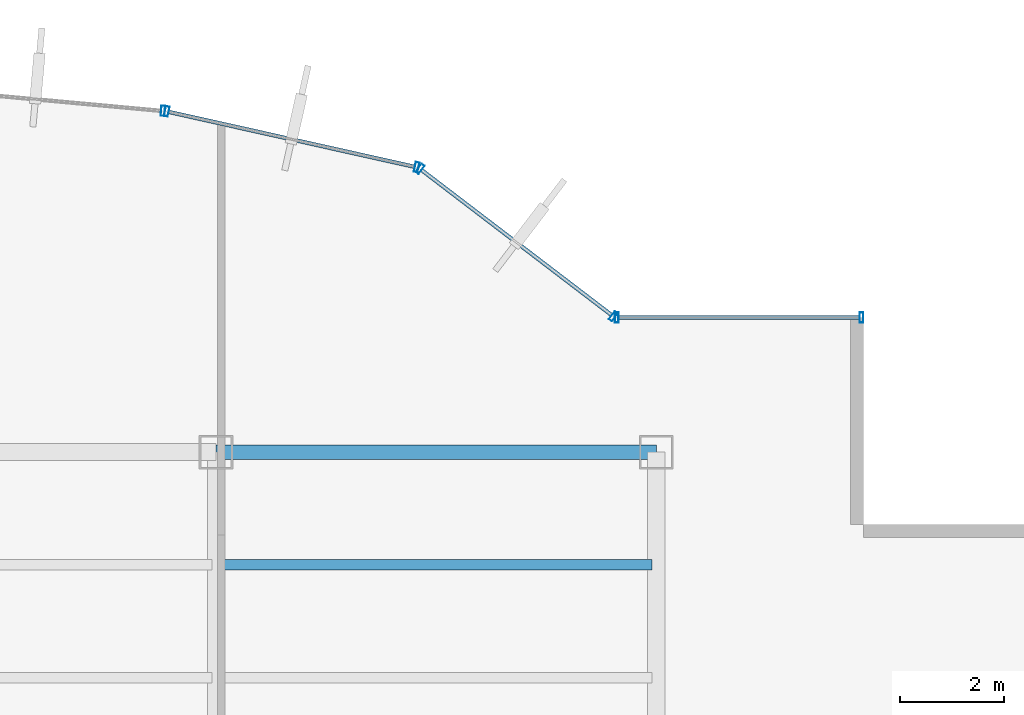
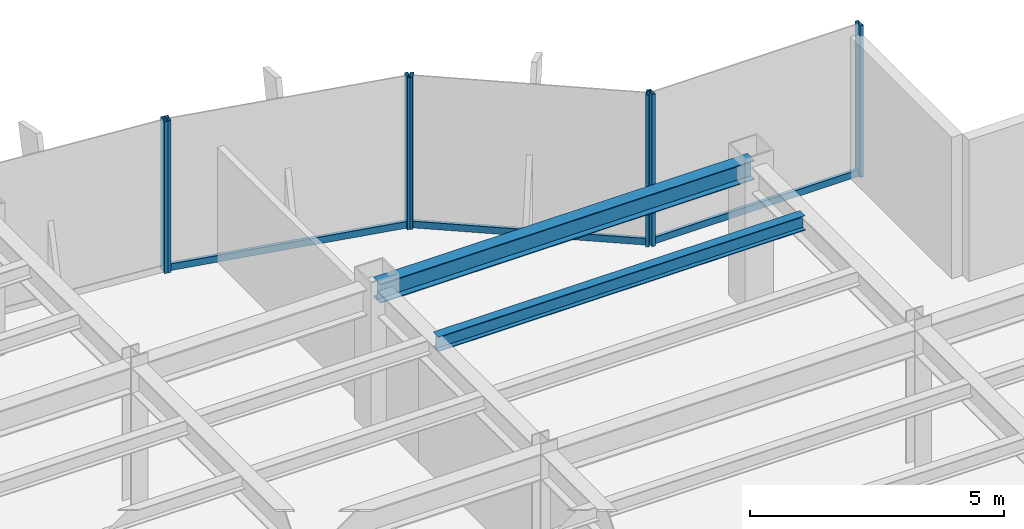
# One storey, part 16 of 23: 10 members, 2 beams, 4 elements without a shape of their own.
"""IFC4 building model written with IfcOpenShell, lengths in metres."""

from ifc_helpers import new_model, si_unit, derived_unit, direction, frame, origin, origin_2d, place, context, subcontext, project, spatial, hollow_rectangle, i_section, extrude, source, transform, mapped, material, material_profile, profile_set, type_object, element, aggregate, save


model = new_model("IFC4")

# Units and contexts
model_context = context("Model", 3, precision=1e-05, world=origin(), true_north=direction((0.0, 1.0)))
body_context = subcontext(model_context, "Body", "Model", "MODEL_VIEW")
ifc_project = project(units=[si_unit("LENGTHUNIT", "METRE"), si_unit("AREAUNIT", "SQUARE_METRE"), si_unit("VOLUMEUNIT", "CUBIC_METRE"), si_unit("PLANEANGLEUNIT", "RADIAN"), si_unit("MASSUNIT", "GRAM", prefix="KILO"), derived_unit("THERMALTRANSMITTANCEUNIT", [(si_unit("POWERUNIT", "WATT"), 1), (si_unit("LENGTHUNIT", "METRE"), -2), (si_unit("THERMODYNAMICTEMPERATUREUNIT", "KELVIN"), -1)])], contexts=[model_context])

# Site, building, storey
site_placement = place(None, origin())
site = spatial("IfcSite", under=ifc_project, at=site_placement, CompositionType="ELEMENT")
building_placement = place(site_placement, origin())
building = spatial("IfcBuilding", under=site, at=building_placement, Name="Skarnbrae Concourse Arena and Tower", CompositionType="ELEMENT")
storey_placement = place(building_placement, frame((0.0, 0.0, 140.60009765625)))
storey = spatial("IfcBuildingStorey", under=building, at=storey_placement, Name="L35", CompositionType="ELEMENT", Elevation=140.60009765625)

# Beams
ifc_material_1 = material(Name="Steel CSA G40.21 350W", Category="steel")
ifc_material_profile_1 = material_profile(ifc_material_1, i_section(OverallWidth=0.280029296875, OverallDepth=0.462890625, WebThickness=0.0107421875, FlangeThickness=0.017333984375, at=origin_2d()), Name="W460X113")
ifc_profile_set_1 = profile_set([ifc_material_profile_1], Name="Steel CSA G40.21 350W")
beam_type_1 = type_object("IfcBeamType", Name="BM-SPAN-W460X113", PredefinedType="SPANDREL", material=ifc_profile_set_1)
shared_shape_1 = source(origin(), body_context, "Body", "SweptSolid", [
    extrude(i_section(OverallWidth=0.280029296875, OverallDepth=0.462890625, WebThickness=0.0107421875, FlangeThickness=0.017333984375, at=origin_2d()), origin(), (0.0, 0.0, 1.0), 8.5),
])
beam_1_placement = place(storey_placement, frame((33.5, 34.39990234375, 3.16845703125), z_axis=(1.0, 0.0, 0.0), x_axis=(0.0, 1.0, 0.0)))
element("IfcBeam", 1, at=beam_1_placement, inside=storey, type_object=beam_type_1, Name="L35 Perimeter spandrel Y34.4-5", PredefinedType="SPANDREL", context=body_context, shape_type="MappedRepresentation", body=[
    mapped(shared_shape_1, transform((0.0, 0.0, 0.0))),
])
ifc_material_profile_2 = material_profile(ifc_material_1, i_section(OverallWidth=0.205078125, OverallDepth=0.35400390625, WebThickness=0.009521484375, FlangeThickness=0.016845703125, at=origin_2d()), Name="W360X79")
ifc_profile_set_2 = profile_set([ifc_material_profile_2], Name="Steel CSA G40.21 350W")
beam_type_2 = type_object("IfcBeamType", Name="BM-JOIST-W360X79", PredefinedType="JOIST", material=ifc_profile_set_2)
shared_shape_2 = source(origin(), body_context, "Body", "SweptSolid", [
    extrude(i_section(OverallWidth=0.205078125, OverallDepth=0.35400390625, WebThickness=0.009521484375, FlangeThickness=0.016845703125, at=origin_2d()), origin(), (0.0, 0.0, 1.0), 8.33984375),
])
beam_2_placement = place(storey_placement, frame((33.580078125, 32.221923828125, 3.222900390625), z_axis=(1.0, 0.0, 0.0), x_axis=(0.0, 1.0, 0.0)))
element("IfcBeam", 2, at=beam_2_placement, inside=storey, type_object=beam_type_2, Name="L35 Secondary floor joist 3.2.5", PredefinedType="JOIST", context=body_context, shape_type="MappedRepresentation", body=[
    mapped(shared_shape_2, transform((0.0, 0.0, 0.0))),
])

# Curtain wall, members
ifc_material_2 = material(Name="Bronze anodised aluminium 6063-T6", Category="aluminium")
curtain_wall_type = type_object("IfcCurtainWallType", Name="CW-SYS-04-MIDZONE", PredefinedType="USERDEFINED", material=ifc_material_2)
curtain_wall_1_placement = place(storey_placement, origin())
curtain_wall_1 = element("IfcCurtainWall", 3, at=curtain_wall_1_placement, inside=storey, type_object=curtain_wall_type, Name="L35 Unitised curtain wall CW-L35-E07", ObjectType="UNITISED CURTAIN WALL", PredefinedType="USERDEFINED")
ifc_material_profile_3 = material_profile(ifc_material_2, hollow_rectangle(XDim=0.074951171875, YDim=0.195068359375, WallThickness=0.00439453125, at=origin_2d()), Name="ALU-MULL-75X195")
ifc_profile_set_3 = profile_set([ifc_material_profile_3], Name="Bronze anodised aluminium 6063-T6")
member_type_1 = type_object("IfcMemberType", Name="CWM-CW-04", PredefinedType="MULLION", material=ifc_profile_set_3)
shared_shape_3 = source(origin(), body_context, "Body", "SweptSolid", [
    extrude(hollow_rectangle(XDim=0.074951171875, YDim=0.195068359375, WallThickness=0.00439453125, at=origin_2d()), origin(), (0.0, 0.0, 1.0), 3.64990234375),
])
member_1_placement = place(storey_placement, frame((45.96240234375, 37.0, 0.0), z_axis=(0.0, 0.0, 1.0), x_axis=(-1.0, 0.0, 0.0)))
member_1 = element("IfcMember", 4, at=member_1_placement, type_object=member_type_1, Name="CW-L35-E07 Mullion 1", PredefinedType="MULLION", context=body_context, shape_type="MappedRepresentation", body=[
    mapped(shared_shape_3, transform((0.0, 0.0, 0.0))),
])
member_2_placement = place(storey_placement, frame((41.237548828125, 37.0, 0.0), z_axis=(0.0, 0.0, 1.0), x_axis=(-1.0, 0.0, 0.0)))
member_2 = element("IfcMember", 5, at=member_2_placement, type_object=member_type_1, Name="CW-L35-E07 Mullion 2", PredefinedType="MULLION", context=body_context, shape_type="MappedRepresentation", body=[
    mapped(shared_shape_3, transform((0.0, 0.0, 0.0))),
])

curtain_wall_2_placement = place(storey_placement, origin())
curtain_wall_2 = element("IfcCurtainWall", 6, at=curtain_wall_2_placement, inside=storey, type_object=curtain_wall_type, Name="L35 Unitised curtain wall CW-L35-E08", ObjectType="UNITISED CURTAIN WALL", PredefinedType="USERDEFINED")
member_3_placement = place(storey_placement, frame((41.170166015625, 37.022705078125, 0.0), z_axis=(0.0, 0.0, 1.0), x_axis=(-0.794956000706, 0.606667089054, 0.0)))
member_3 = element("IfcMember", 7, at=member_3_placement, type_object=member_type_1, Name="CW-L35-E08 Mullion 1", PredefinedType="MULLION", context=body_context, shape_type="MappedRepresentation", body=[
    mapped(shared_shape_3, transform((0.0, 0.0, 0.0))),
])
member_4_placement = place(storey_placement, frame((37.439208984375, 39.869873046875, 0.0), z_axis=(0.0, 0.0, 1.0), x_axis=(-0.794956000706, 0.606667089054, 0.0)))
member_4 = element("IfcMember", 8, at=member_4_placement, type_object=member_type_1, Name="CW-L35-E08 Mullion 2", PredefinedType="MULLION", context=body_context, shape_type="MappedRepresentation", body=[
    mapped(shared_shape_3, transform((0.0, 0.0, 0.0))),
])

curtain_wall_3_placement = place(storey_placement, origin())
curtain_wall_3 = element("IfcCurtainWall", 9, at=curtain_wall_3_placement, inside=storey, type_object=curtain_wall_type, Name="L35 Unitised curtain wall CW-L35-E09", ObjectType="UNITISED CURTAIN WALL", PredefinedType="USERDEFINED")
member_5_placement = place(storey_placement, frame((37.372802734375, 39.90087890625, 0.0), z_axis=(0.0, 0.0, 1.0), x_axis=(-0.975936175393, 0.218056372433, 0.0)))
member_5 = element("IfcMember", 10, at=member_5_placement, type_object=member_type_1, Name="CW-L35-E09 Mullion 1", PredefinedType="MULLION", context=body_context, shape_type="MappedRepresentation", body=[
    mapped(shared_shape_3, transform((0.0, 0.0, 0.0))),
])
member_6_placement = place(storey_placement, frame((32.548828125, 40.978759765625, 0.0), z_axis=(0.0, 0.0, 1.0), x_axis=(-0.975936175393, 0.218056372433, 0.0)))
member_6 = element("IfcMember", 11, at=member_6_placement, type_object=member_type_1, Name="CW-L35-E09 Mullion 2", PredefinedType="MULLION", context=body_context, shape_type="MappedRepresentation", body=[
    mapped(shared_shape_3, transform((0.0, 0.0, 0.0))),
])

# Curtain wall, member
curtain_wall_4_placement = place(storey_placement, origin())
curtain_wall_4 = element("IfcCurtainWall", 12, at=curtain_wall_4_placement, inside=storey, type_object=curtain_wall_type, Name="L35 Unitised curtain wall CW-L35-E10", ObjectType="UNITISED CURTAIN WALL", PredefinedType="USERDEFINED")
member_7_placement = place(storey_placement, frame((32.47509765625, 40.990234375, 0.0), z_axis=(0.0, 0.0, 1.0), x_axis=(-0.995819926016, 0.091338244731, 0.0)))
member_7 = element("IfcMember", 13, at=member_7_placement, type_object=member_type_1, Name="CW-L35-E10 Mullion 1", PredefinedType="MULLION", context=body_context, shape_type="MappedRepresentation", body=[
    mapped(shared_shape_3, transform((0.0, 0.0, 0.0))),
])
aggregate(curtain_wall_4, [member_7])

# Member
ifc_material_profile_4 = material_profile(ifc_material_2, hollow_rectangle(XDim=0.074951171875, YDim=0.159912109375, WallThickness=0.00439453125, at=origin_2d()), Name="ALU-TRAN-75X160")
ifc_profile_set_4 = profile_set([ifc_material_profile_4], Name="Bronze anodised aluminium 6063-T6")
member_type_2 = type_object("IfcMemberType", Name="CWT-CW-04", PredefinedType="USERDEFINED", material=ifc_profile_set_4)
shared_shape_4 = source(origin(), body_context, "Body", "SweptSolid", [
    extrude(hollow_rectangle(XDim=0.074951171875, YDim=0.159912109375, WallThickness=0.00439453125, at=origin_2d()), origin(), (0.0, 0.0, 1.0), 4.650146484375),
])
member_8_placement = place(storey_placement, frame((45.925048828125, 37.0, 0.079833984375), z_axis=(-1.0, 0.0, 0.0), x_axis=(0.0, -1.0, 0.0)))
member_8 = element("IfcMember", 14, at=member_8_placement, type_object=member_type_2, Name="CW-L35-E07 Transom 1", ObjectType="TRANSOM", PredefinedType="USERDEFINED", context=body_context, shape_type="MappedRepresentation", body=[
    mapped(shared_shape_4, transform((0.0, 0.0, 0.0))),
])

aggregate(curtain_wall_1, [member_1, member_2, member_8])

shared_shape_5 = source(origin(), body_context, "Body", "SweptSolid", [
    extrude(hollow_rectangle(XDim=0.074951171875, YDim=0.159912109375, WallThickness=0.00439453125, at=origin_2d()), origin(), (0.0, 0.0, 1.0), 4.618408203125),
])
member_9_placement = place(storey_placement, frame((41.140380859375, 37.04541015625, 0.079833984375), z_axis=(-0.794960638756, 0.606661011462, 0.0), x_axis=(-0.606661011462, -0.794960638756, 0.0)))
member_9 = element("IfcMember", 15, at=member_9_placement, type_object=member_type_2, Name="CW-L35-E08 Transom 1", ObjectType="TRANSOM", PredefinedType="USERDEFINED", context=body_context, shape_type="MappedRepresentation", body=[
    mapped(shared_shape_5, transform((0.0, 0.0, 0.0))),
])

aggregate(curtain_wall_2, [member_3, member_4, member_9])

shared_shape_6 = source(origin(), body_context, "Body", "SweptSolid", [
    extrude(hollow_rectangle(XDim=0.074951171875, YDim=0.159912109375, WallThickness=0.00439453125, at=origin_2d()), origin(), (0.0, 0.0, 1.0), 4.867919921875),
])
member_10_placement = place(storey_placement, frame((37.336181640625, 39.9091796875, 0.079833984375), z_axis=(-0.975944534406, 0.218018957349, 0.0), x_axis=(-0.218018957349, -0.975944534406, 0.0)))
member_10 = element("IfcMember", 16, at=member_10_placement, type_object=member_type_2, Name="CW-L35-E09 Transom 1", ObjectType="TRANSOM", PredefinedType="USERDEFINED", context=body_context, shape_type="MappedRepresentation", body=[
    mapped(shared_shape_6, transform((0.0, 0.0, 0.0))),
])

aggregate(curtain_wall_3, [member_5, member_6, member_10])

save(model, "model.ifc")
